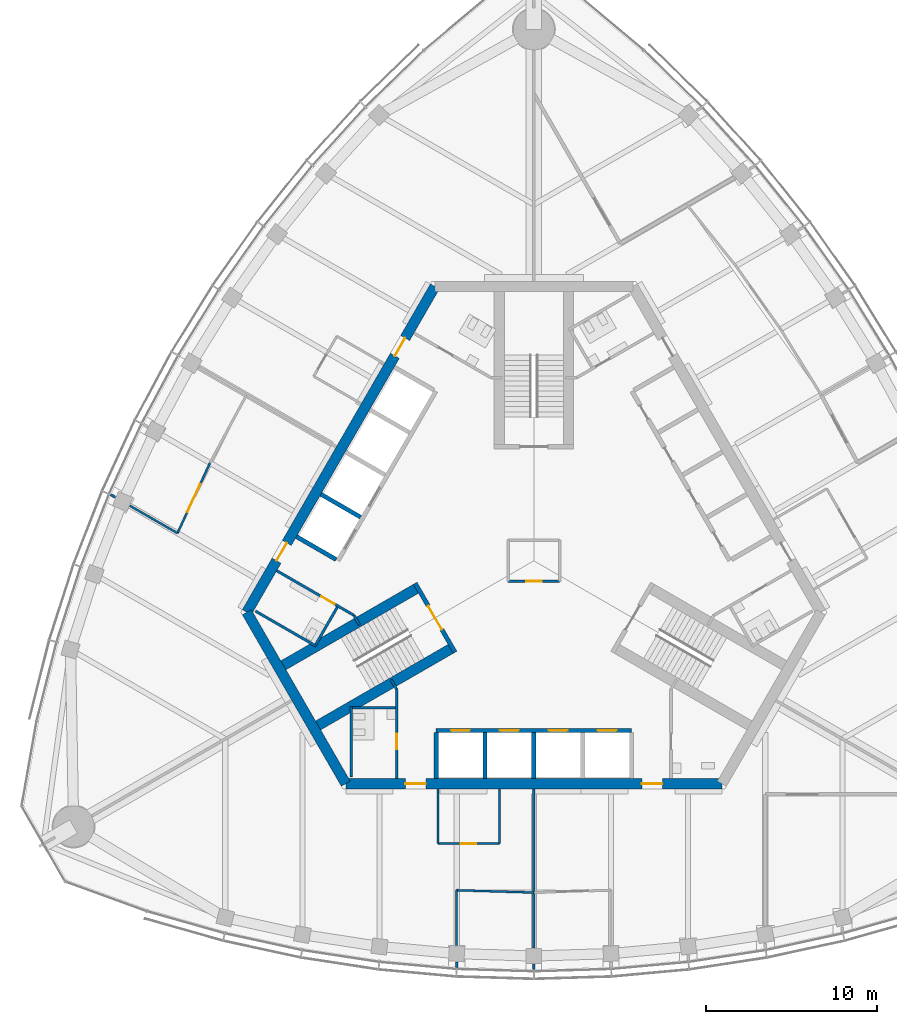
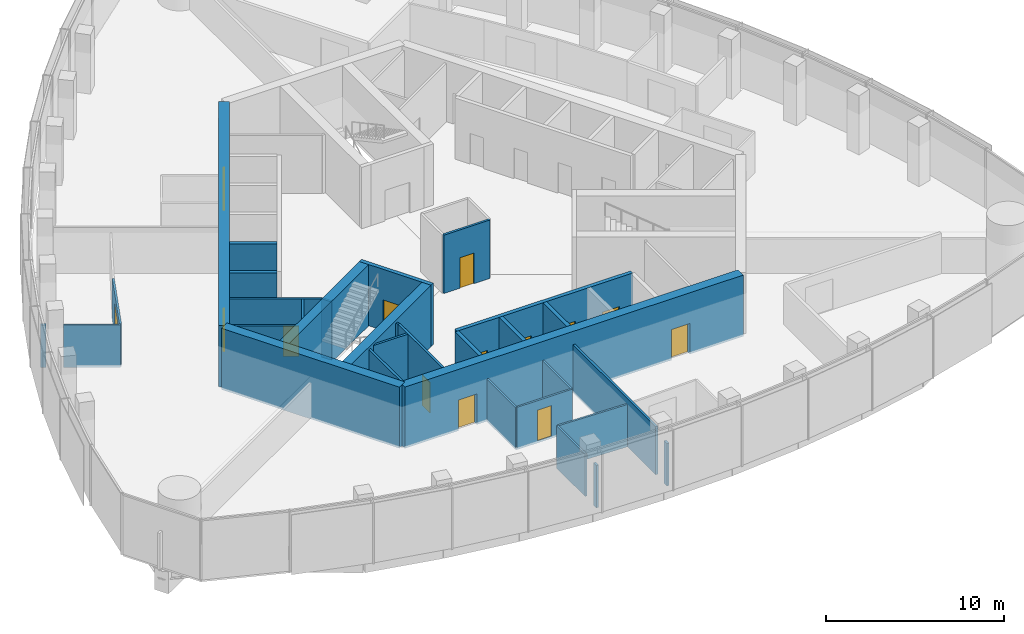
# One storey, part 8 of 16: 32 walls, 14 doors, 14 openings.
"""IFC4 building model written with IfcOpenShell, lengths in metres."""

import ifcopenshell
import ifcopenshell.guid

model = None  # the IFC model being written
_history = None  # IfcOwnerHistory: only IFC2X3 demands one
_inside = {}  # id of a spatial element -> (the spatial element, [elements in it])
_under = {}  # id of a project, library or spatial element -> (it, [spatial elements below it])
_declared = {}  # id of a project -> (the project, [libraries it declares])
_typed = {}  # id of a type object -> (the type object, [elements of that type])
_made_of = {}  # id of a material, layer set ... -> (it, [elements and type objects made of it])


def new_model(schema):
    """Start an empty IFC model of exactly this schema.

    Asked for "IFC4X3", IfcOpenShell would pick the latest addendum, in which some entities
    have other attributes; the version numbers below select the first issue.
    IFC2X3 requires an IfcOwnerHistory on every rooted entity: one is made here for all.
    """
    global model, _history
    if schema == "IFC4X3":
        model = ifcopenshell.file(schema_version=(4, 3, 0, 0))
    else:
        model = ifcopenshell.file(schema=schema)
    _inside.clear()
    _under.clear()
    _declared.clear()
    _typed.clear()
    _made_of.clear()
    _history = None
    if model.schema == "IFC2X3":
        org = make("IfcOrganization", Name="unknown")
        user = make(
            "IfcPersonAndOrganization",
            ThePerson=make("IfcPerson", FamilyName="unknown"),
            TheOrganization=org,
        )
        app = make(
            "IfcApplication",
            ApplicationDeveloper=org,
            Version="unknown",
            ApplicationFullName="unknown",
            ApplicationIdentifier="unknown",
        )
        _history = make(
            "IfcOwnerHistory",
            OwningUser=user,
            OwningApplication=app,
            ChangeAction="ADDED",
            CreationDate=0,
        )
    return model


def make(cls, **values):
    """One entity of the class cls with the attributes given. An attribute that is None is left unset."""
    return model.create_entity(
        cls, **{name: value for name, value in values.items() if value is not None}
    )


def rooted(cls, **values):
    """An entity with a GlobalId (a new one), such as an element, a storey or a relation."""
    return make(cls, GlobalId=ifcopenshell.guid.new(), OwnerHistory=_history, **values)


def si_unit(unit_type, name, prefix=None):
    """IfcSIUnit, for example si_unit("LENGTHUNIT", "METRE", prefix="MILLI")."""
    return make("IfcSIUnit", UnitType=unit_type, Prefix=prefix, Name=name)


def assignment(units):
    """IfcUnitAssignment: the units of a project."""
    return None if units is None else make("IfcUnitAssignment", Units=units)


def point(xyz):
    """IfcCartesianPoint."""
    return None if xyz is None else make("IfcCartesianPoint", Coordinates=xyz)


def direction(xyz):
    """IfcDirection."""
    return None if xyz is None else make("IfcDirection", DirectionRatios=xyz)


def frame(location, z_axis=None, x_axis=None):
    """IfcAxis2Placement3D, a coordinate frame: its origin and axes. An axis left out is left unset."""
    return make(
        "IfcAxis2Placement3D",
        Location=point(location),
        Axis=direction(z_axis),
        RefDirection=direction(x_axis),
    )


def frame_2d(location, x_axis=None):
    """IfcAxis2Placement2D, a coordinate frame in the plane: its origin and x axis."""
    return make(
        "IfcAxis2Placement2D", Location=point(location), RefDirection=direction(x_axis)
    )


def origin():
    """The frame at (0, 0, 0) with its axes left unset."""
    return frame((0.0, 0.0, 0.0))


def place(relative_to, where):
    """IfcLocalPlacement: puts the frame where relative to a parent placement (None: the world)."""
    return make(
        "IfcLocalPlacement", PlacementRelTo=relative_to, RelativePlacement=where
    )


def context(
    kind, dimensions, precision=None, world=None, true_north=None, identifier=None
):
    """IfcGeometricRepresentationContext, for example the 3D "Model" context."""
    return make(
        "IfcGeometricRepresentationContext",
        ContextIdentifier=identifier,
        ContextType=kind,
        CoordinateSpaceDimension=dimensions,
        Precision=precision,
        WorldCoordinateSystem=world,
        TrueNorth=true_north,
    )


def subcontext(parent, identifier, kind, view, scale=None):
    """IfcGeometricRepresentationSubContext, for example "Body" below "Model"."""
    return make(
        "IfcGeometricRepresentationSubContext",
        ContextIdentifier=identifier,
        ContextType=kind,
        ParentContext=parent,
        TargetScale=scale,
        TargetView=view,
    )


def project(units=None, contexts=None):
    """IfcProject with its units and contexts."""
    return rooted(
        "IfcProject",
        Name="project",
        RepresentationContexts=contexts,
        UnitsInContext=assignment(units),
    )


def spatial(cls, under=None, at=None, **own):
    """A site, building, storey or space (cls), placed at a placement, below another one or the project."""
    s = rooted(cls, ObjectPlacement=at, **own)
    if under is not None:
        _under.setdefault(under.id(), (under, []))[1].append(s)
    return s


def profile(cls, at=None, kind="AREA", **sizes):
    """A parametric profile (cls). Its sizes go by their IFC names, for example OverallWidth=200.0."""
    return make(cls, ProfileType=kind, Position=at, **sizes)


def rectangle(**sizes):
    """IfcRectangleProfileDef."""
    return profile("IfcRectangleProfileDef", **sizes)


def extrude(swept, where, along, depth):
    """IfcExtrudedAreaSolid: the profile swept, set in the frame where, extruded along a direction by depth."""
    return make(
        "IfcExtrudedAreaSolid",
        SweptArea=swept,
        Position=where,
        ExtrudedDirection=direction(along),
        Depth=depth,
    )


def shape(context_of_items, identifier, shape_type, items):
    """IfcShapeRepresentation: the items that make up one representation, for example the "Body"."""
    return make(
        "IfcShapeRepresentation",
        ContextOfItems=context_of_items,
        RepresentationIdentifier=identifier,
        RepresentationType=shape_type,
        Items=items,
    )


def material(Name=None, Category=None):
    """IfcMaterial."""
    return make("IfcMaterial", Name=Name, Category=Category)


def layer(
    of_material, thickness, ventilated=None, Name=None, Category=None, Priority=None
):
    """IfcMaterialLayer: one layer of a wall or slab, of a material (None: an air gap)."""
    return make(
        "IfcMaterialLayer",
        Material=of_material,
        LayerThickness=thickness,
        IsVentilated=ventilated,
        Name=Name,
        Category=Category,
        Priority=Priority,
    )


def layer_set(layers, Name=None):
    """IfcMaterialLayerSet."""
    return make("IfcMaterialLayerSet", MaterialLayers=layers, LayerSetName=Name)


def made_of(thing, what):
    """Note that an element or type object is made of a material, layer set ...; save() writes the relation."""
    if what is not None:
        _made_of.setdefault(what.id(), (what, []))[1].append(thing)
    return thing


def type_object(cls, material=None, **own):
    """A type object (cls), such as IfcWallType, which elements share."""
    return made_of(rooted(cls, **own), material)


def element(
    cls,
    number,
    at=None,
    inside=None,
    cuts=None,
    type_object=None,
    material=None,
    context=None,
    identifier="Body",
    shape_type=None,
    held_by="IfcProductDefinitionShape",
    body=None,
    shapes=None,
    **own,
):
    """One element of the class cls, such as IfcWall. Its Tag is "e" and its number.

    at: its placement. inside: the storey or other place that contains it. cuts: it is an
    opening in that element (IfcRelVoidsElement). A single representation is given by context,
    identifier, shape_type and body (its items); several are given by shapes. held_by: the class
    of the entity that holds the representations. save() writes the other relations.
    """
    e = rooted(cls, Tag="e%d" % number, ObjectPlacement=at, **own)
    if body is not None:
        shapes = [shape(context, identifier, shape_type, body)]
    if shapes is not None:
        e.Representation = make(held_by, Representations=shapes)
    if inside is not None:
        _inside.setdefault(inside.id(), (inside, []))[1].append(e)
    if cuts is not None:
        rooted(
            "IfcRelVoidsElement", RelatingBuildingElement=cuts, RelatedOpeningElement=e
        )
    if type_object is not None:
        _typed.setdefault(type_object.id(), (type_object, []))[1].append(e)
    return made_of(e, material)


def fill(opening, filler):
    """IfcRelFillsElement: the door or window that sits in an opening."""
    return rooted(
        "IfcRelFillsElement",
        RelatingOpeningElement=opening,
        RelatedBuildingElement=filler,
    )


def aggregate(whole, parts):
    """IfcRelAggregates: a whole, such as a stair, and the parts it consists of."""
    return rooted("IfcRelAggregates", RelatingObject=whole, RelatedObjects=parts)


def save(model, path):
    """Write the relations noted so far, then the file.

    IfcRelAggregates (storeys below a building ...), IfcRelContainedInSpatialStructure (elements
    in a storey), IfcRelDefinesByType, IfcRelAssociatesMaterial and IfcRelDeclares: one each for
    every whole, place, type object, material and project.
    """
    for whole, parts in _under.values():
        aggregate(whole, parts)
    for where, things in _inside.values():
        rooted(
            "IfcRelContainedInSpatialStructure",
            RelatedElements=things,
            RelatingStructure=where,
        )
    for kind, things in _typed.values():
        rooted("IfcRelDefinesByType", RelatedObjects=things, RelatingType=kind)
    for what, things in _made_of.values():
        rooted("IfcRelAssociatesMaterial", RelatedObjects=things, RelatingMaterial=what)
    for by, libraries in _declared.values():
        rooted("IfcRelDeclares", RelatingContext=by, RelatedDefinitions=libraries)
    model.write(path)


model = new_model("IFC4")

# Units and contexts
model_context = context("Model", 3, precision=1e-05, world=origin(), true_north=direction((0.0, 1.0)))
body_context = subcontext(model_context, "Body", "Model", "MODEL_VIEW")
ifc_project = project(units=[si_unit("LENGTHUNIT", "METRE"), si_unit("AREAUNIT", "SQUARE_METRE"), si_unit("VOLUMEUNIT", "CUBIC_METRE"), si_unit("PLANEANGLEUNIT", "RADIAN"), si_unit("MASSUNIT", "GRAM", prefix="KILO")], contexts=[model_context])

# Site, building, storey
site_placement = place(None, origin())
site = spatial("IfcSite", under=ifc_project, at=site_placement, CompositionType="ELEMENT")
building_placement = place(site_placement, origin())
building = spatial("IfcBuilding", under=site, at=building_placement, Name="Trefoil Bronze Tower", CompositionType="ELEMENT")
storey_placement = place(building_placement, frame((0.0, 0.0, 314.10009765625)))
storey = spatial("IfcBuildingStorey", under=building, at=storey_placement, Name="L72", CompositionType="ELEMENT", Elevation=314.10009765625)

# Wall, openings, doors
ifc_material_1 = material(Name="Concrete B80", Category="concrete")
ifc_layer_1 = layer(ifc_material_1, 0.60009765625)
ifc_layer_set_1 = layer_set([ifc_layer_1], Name="Core wall 600")
wall_type_1 = type_object("IfcWallType", Name="Core wall 600", PredefinedType="SHEAR", material=ifc_layer_set_1)
wall_1_placement = place(storey_placement, frame((-10.9697265625, -13.0, 0.0), z_axis=(0.0, 0.0, 1.0), x_axis=(1.0, 0.0, 0.0)))
wall_1 = element("IfcWall", 1, at=wall_1_placement, inside=storey, type_object=wall_type_1, Name="Core long wall 1 L72", PredefinedType="SHEAR", context=body_context, shape_type="SweptSolid", body=[
    extrude(rectangle(XDim=21.939453125, YDim=0.60009765625, at=frame_2d((10.9697265625, 0.0))), origin(), (0.0, 0.0, 1.0), 4.199951171875),
])
opening_1_placement = place(wall_1_placement, frame((17.269775390625, 0.0, 0.0)))
opening_1 = element("IfcOpeningElement", 2, at=opening_1_placement, cuts=wall_1, Name="Opening D2", PredefinedType="OPENING", context=body_context, shape_type="SweptSolid", body=[
    extrude(rectangle(XDim=1.199951171875, YDim=2.10009765625, at=frame_2d((0.60009765625, 1.050048828125))), frame((0.0, 0.31005859375, 0.0), z_axis=(0.0, -1.0, 0.0), x_axis=(1.0, 0.0, 0.0)), (0.0, 0.0, 1.0), 0.6201171875),
])
opening_2_placement = place(wall_1_placement, frame((3.4697265625, 0.0, 0.0)))
opening_2 = element("IfcOpeningElement", 3, at=opening_2_placement, cuts=wall_1, Name="Opening D2", PredefinedType="OPENING", context=body_context, shape_type="SweptSolid", body=[
    extrude(rectangle(XDim=1.199951171875, YDim=2.10009765625, at=frame_2d((0.60009765625, 1.050048828125))), frame((0.0, 0.31005859375, 0.0), z_axis=(0.0, -1.0, 0.0), x_axis=(1.0, 0.0, 0.0)), (0.0, 0.0, 1.0), 0.6201171875),
])
ifc_material_2 = material(Name="Steel door", Category="steel")
door_type_1 = type_object("IfcDoorType", Name="Lobby door 1200", OperationType="SINGLE_SWING_RIGHT", PredefinedType="DOOR", material=ifc_material_2)
door_1_placement = place(opening_1_placement, origin())
door_1 = element("IfcDoor", 4, at=door_1_placement, inside=storey, type_object=door_type_1, Name="Lobby door F1+ L72", OperationType="SINGLE_SWING_RIGHT", OverallHeight=2.10009765625, OverallWidth=1.199951171875, PredefinedType="DOOR", context=body_context, shape_type="SweptSolid", body=[
    extrude(rectangle(XDim=1.199951171875, YDim=2.10009765625, at=frame_2d((0.60009765625, 1.050048828125))), frame((0.0, 0.02490234375, 0.0), z_axis=(0.0, -1.0, 0.0), x_axis=(1.0, 0.0, 0.0)), (0.0, 0.0, 1.0), 0.050048828125),
])
fill(opening_1, door_1)
door_2_placement = place(opening_2_placement, origin())
door_2 = element("IfcDoor", 5, at=door_2_placement, inside=storey, type_object=door_type_1, Name="Lobby door F1- L72", OperationType="SINGLE_SWING_LEFT", OverallHeight=2.10009765625, OverallWidth=1.199951171875, PredefinedType="DOOR", context=body_context, shape_type="SweptSolid", body=[
    extrude(rectangle(XDim=1.199951171875, YDim=2.10009765625, at=frame_2d((0.60009765625, 1.050048828125))), frame((0.0, 0.02490234375, 0.0), z_axis=(0.0, -1.0, 0.0), x_axis=(1.0, 0.0, 0.0)), (0.0, 0.0, 1.0), 0.050048828125),
])
fill(opening_2, door_2)

wall_2_placement = place(storey_placement, frame((-5.7734375, 16.0, 0.0), z_axis=(0.0, 0.0, 1.0), x_axis=(-0.500002442456, -0.866023993627, 0.0)))
wall_2 = element("IfcWall", 6, at=wall_2_placement, inside=storey, type_object=wall_type_1, Name="Core long wall 3 L72", PredefinedType="SHEAR", context=body_context, shape_type="SweptSolid", body=[
    extrude(rectangle(XDim=21.939453125, YDim=0.60009765625, at=frame_2d((10.9697265625, 0.0))), origin(), (0.0, 0.0, 1.0), 4.199951171875),
])
opening_3_placement = place(wall_2_placement, frame((17.269775390625, 0.0, 0.0)))
opening_3 = element("IfcOpeningElement", 7, at=opening_3_placement, cuts=wall_2, Name="Opening D2", PredefinedType="OPENING", context=body_context, shape_type="SweptSolid", body=[
    extrude(rectangle(XDim=1.199951171875, YDim=2.10009765625, at=frame_2d((0.60009765625, 1.050048828125))), frame((0.0, 0.31005859375, 0.0), z_axis=(0.0, -1.0, 0.0), x_axis=(1.0, 0.0, 0.0)), (0.0, 0.0, 1.0), 0.6201171875),
])
opening_4_placement = place(wall_2_placement, frame((3.4697265625, 0.0, 0.0)))
opening_4 = element("IfcOpeningElement", 8, at=opening_4_placement, cuts=wall_2, Name="Opening D2", PredefinedType="OPENING", context=body_context, shape_type="SweptSolid", body=[
    extrude(rectangle(XDim=1.199951171875, YDim=2.10009765625, at=frame_2d((0.60009765625, 1.050048828125))), frame((0.0, 0.31005859375, 0.0), z_axis=(0.0, -1.0, 0.0), x_axis=(1.0, 0.0, 0.0)), (0.0, 0.0, 1.0), 0.6201171875),
])
door_3_placement = place(opening_3_placement, origin())
door_3 = element("IfcDoor", 9, at=door_3_placement, inside=storey, type_object=door_type_1, Name="Lobby door F3+ L72", OperationType="SINGLE_SWING_RIGHT", OverallHeight=2.10009765625, OverallWidth=1.199951171875, PredefinedType="DOOR", context=body_context, shape_type="SweptSolid", body=[
    extrude(rectangle(XDim=1.199951171875, YDim=2.10009765625, at=frame_2d((0.60009765625, 1.050048828125))), frame((0.0, 0.02490234375, 0.0), z_axis=(0.0, -1.0, 0.0), x_axis=(1.0, 0.0, 0.0)), (0.0, 0.0, 1.0), 0.050048828125),
])
fill(opening_3, door_3)
door_4_placement = place(opening_4_placement, origin())
door_4 = element("IfcDoor", 10, at=door_4_placement, inside=storey, type_object=door_type_1, Name="Lobby door F3- L72", OperationType="SINGLE_SWING_LEFT", OverallHeight=2.10009765625, OverallWidth=1.199951171875, PredefinedType="DOOR", context=body_context, shape_type="SweptSolid", body=[
    extrude(rectangle(XDim=1.199951171875, YDim=2.10009765625, at=frame_2d((0.60009765625, 1.050048828125))), frame((0.0, 0.02490234375, 0.0), z_axis=(0.0, -1.0, 0.0), x_axis=(1.0, 0.0, 0.0)), (0.0, 0.0, 1.0), 0.050048828125),
])
fill(opening_4, door_4)

# Wall
wall_3_placement = place(storey_placement, frame((-16.7431640625, -3.0, 0.0), z_axis=(0.0, 0.0, 1.0), x_axis=(0.499995765644, -0.866027848477, 0.0)))
element("IfcWall", 11, at=wall_3_placement, inside=storey, type_object=wall_type_1, Name="Core short wall 3 L72", PredefinedType="SHEAR", context=body_context, shape_type="SweptSolid", body=[
    extrude(rectangle(XDim=11.546875, YDim=0.60009765625, at=frame_2d((5.7734375, 0.0))), origin(), (0.0, 0.0, 1.0), 4.199951171875),
])

# Wall, opening, door
ifc_material_3 = material(Name="Glazed partition", Category="glass")
ifc_layer_2 = layer(ifc_material_3, 0.1201171875)
ifc_layer_set_2 = layer_set([ifc_layer_2], Name="Glazed partition 120")
wall_type_2 = type_object("IfcWallType", Name="Glazed partition 120", PredefinedType="PARTITIONING", material=ifc_layer_set_2)
wall_4_placement = place(storey_placement, frame((-5.60009765625, -16.5, 0.0), z_axis=(0.0, 0.0, 1.0), x_axis=(1.0, 0.0, 0.0)))
wall_4 = element("IfcWall", 12, at=wall_4_placement, inside=storey, type_object=wall_type_2, Name="Partition F1 L72", PredefinedType="PARTITIONING", context=body_context, shape_type="SweptSolid", body=[
    extrude(rectangle(XDim=3.60009765625, YDim=0.1201171875, at=frame_2d((1.800048828125, 0.0))), origin(), (0.0, 0.0, 1.0), 2.89990234375),
])
opening_5_placement = place(wall_4_placement, frame((1.35009765625, 0.0, 0.14990234375)))
opening_5 = element("IfcOpeningElement", 13, at=opening_5_placement, cuts=wall_4, Name="Opening D8", PredefinedType="OPENING", context=body_context, shape_type="SweptSolid", body=[
    extrude(rectangle(XDim=0.89990234375, YDim=2.10009765625, at=frame_2d((0.449951171875, 1.050048828125))), frame((0.0, 0.070068359375, 0.0), z_axis=(0.0, -1.0, 0.0), x_axis=(1.0, 0.0, 0.0)), (0.0, 0.0, 1.0), 0.14013671875),
])
ifc_material_4 = material(Name="Timber door", Category="wood")
door_type_2 = type_object("IfcDoorType", Name="Office door 900", OperationType="SINGLE_SWING_LEFT", PredefinedType="DOOR", material=ifc_material_4)
door_5_placement = place(opening_5_placement, origin())
door_5 = element("IfcDoor", 14, at=door_5_placement, inside=storey, type_object=door_type_2, Name="Cloakroom door F1 L72", OperationType="SINGLE_SWING_RIGHT", OverallHeight=2.10009765625, OverallWidth=0.89990234375, PredefinedType="DOOR", context=body_context, shape_type="SweptSolid", body=[
    extrude(rectangle(XDim=0.89990234375, YDim=2.10009765625, at=frame_2d((0.449951171875, 1.050048828125))), frame((0.0, 0.02490234375, 0.0), z_axis=(0.0, -1.0, 0.0), x_axis=(1.0, 0.0, 0.0)), (0.0, 0.0, 1.0), 0.050048828125),
])
fill(opening_5, door_5)

# Walls
for number, where, z_axis, x_axis, name in (
    (15, (-2.0, -13.300048828125, 0.0), (0.0, 0.0, 1.0), (0.0, -1.0, 0.0), "Partition F1 L72"),
    (16, (-5.60009765625, -13.300048828125, 0.0), (0.0, 0.0, 1.0), (0.0, -1.0, 0.0), "Partition F1 L72"),
):
    element("IfcWall", number, at=place(storey_placement, frame(where, z_axis=z_axis, x_axis=x_axis)), inside=storey, type_object=wall_type_2, Name=name, PredefinedType="PARTITIONING", context=body_context, shape_type="SweptSolid", body=[
        extrude(rectangle(XDim=3.199951171875, YDim=0.1201171875, at=frame_2d((1.60009765625, 0.0))), origin(), (0.0, 0.0, 1.0), 2.89990234375),
    ])
wall_5_placement = place(storey_placement, frame((-4.5, -19.21533203125, 0.0), z_axis=(0.0, 0.0, 1.0), x_axis=(0.999542074227, -0.030259574513, 0.0)))
element("IfcWall", 17, at=wall_5_placement, inside=storey, type_object=wall_type_2, Name="Partition F1 L72", PredefinedType="PARTITIONING", context=body_context, shape_type="SweptSolid", body=[
    extrude(rectangle(XDim=4.501953125, YDim=0.1201171875, at=frame_2d((2.2509765625, 0.0))), origin(), (0.0, 0.0, 1.0), 2.89990234375),
])
wall_6_placement = place(storey_placement, frame((-4.5, -19.21533203125, 0.0), z_axis=(0.0, 0.0, 1.0), x_axis=(0.0, -1.0, 0.0)))
element("IfcWall", 18, at=wall_6_placement, inside=storey, type_object=wall_type_2, Name="Partition F1 L72", PredefinedType="PARTITIONING", context=body_context, shape_type="SweptSolid", body=[
    extrude(rectangle(XDim=3.2177734375, YDim=0.1201171875, at=frame_2d((1.60888671875, 0.0))), origin(), (0.0, 0.0, 1.0), 2.89990234375),
])

# Wall, opening, door
wall_7_placement = place(storey_placement, frame((-18.890869140625, 5.71044921875, 0.0), z_axis=(0.0, 0.0, 1.0), x_axis=(-0.419335693458, -0.907831248742, 0.0)))
wall_7 = element("IfcWall", 19, at=wall_7_placement, inside=storey, type_object=wall_type_2, Name="Partition F3 L72", PredefinedType="PARTITIONING", context=body_context, shape_type="SweptSolid", body=[
    extrude(rectangle(XDim=4.5185546875, YDim=0.1201171875, at=frame_2d((2.25927734375, 0.0))), origin(), (0.0, 0.0, 1.0), 2.89990234375),
])
opening_6_placement = place(wall_7_placement, frame((1.35009765625, 0.0, 0.14990234375)))
opening_6 = element("IfcOpeningElement", 20, at=opening_6_placement, cuts=wall_7, Name="Opening D10", PredefinedType="OPENING", context=body_context, shape_type="SweptSolid", body=[
    extrude(rectangle(XDim=1.800048828125, YDim=2.10009765625, at=frame_2d((0.89990234375, 1.050048828125))), frame((0.0, 0.070068359375, 0.0), z_axis=(0.0, -1.0, 0.0), x_axis=(1.0, 0.0, 0.0)), (0.0, 0.0, 1.0), 0.14013671875),
])
ifc_material_5 = material(Name="Timber door", Category="wood")
door_type_3 = type_object("IfcDoorType", Name="Double door 1800", OperationType="DOUBLE_DOOR_SINGLE_SWING", PredefinedType="DOOR", material=ifc_material_5)
door_6_placement = place(opening_6_placement, frame((1.800048828125, 0.0, 0.0), z_axis=(0.0, 0.0, 1.0), x_axis=(-1.0, 0.0, 0.0)))
door_6 = element("IfcDoor", 21, at=door_6_placement, inside=storey, type_object=door_type_3, Name="Bar door F3 L72", OperationType="DOUBLE_DOOR_SINGLE_SWING", OverallHeight=2.10009765625, OverallWidth=1.800048828125, PredefinedType="DOOR", context=body_context, shape_type="SweptSolid", body=[
    extrude(rectangle(XDim=1.800048828125, YDim=2.10009765625, at=frame_2d((0.89990234375, 1.050048828125))), frame((0.0, 0.02490234375, 0.0), z_axis=(0.0, -1.0, 0.0), x_axis=(1.0, 0.0, 0.0)), (0.0, 0.0, 1.0), 0.050048828125),
])
fill(opening_6, door_6)

# Wall
wall_8_placement = place(storey_placement, frame((-20.78564453125, 1.6083984375, 0.0), z_axis=(0.0, 0.0, 1.0), x_axis=(-0.866039964284, 0.499974779627, 0.0)))
element("IfcWall", 22, at=wall_8_placement, inside=storey, type_object=wall_type_2, Name="Partition F3 L72", PredefinedType="PARTITIONING", context=body_context, shape_type="SweptSolid", body=[
    extrude(rectangle(XDim=3.210693359375, YDim=0.1201171875, at=frame_2d((1.60546875, 0.0))), origin(), (0.0, 0.0, 1.0), 2.89990234375),
])

# Wall, opening, door
ifc_material_6 = material(Name="Gypsum board on steel studs", Category="steel")
ifc_layer_3 = layer(ifc_material_6, 0.14990234375)
ifc_layer_set_3 = layer_set([ifc_layer_3], Name="Partition 150")
wall_type_3 = type_object("IfcWallType", Name="Partition 150", PredefinedType="PARTITIONING", material=ifc_layer_set_3)
wall_9_placement = place(storey_placement, frame((-8.0, -7.5, 0.0), z_axis=(0.0, 0.0, 1.0), x_axis=(0.0, -1.0, 0.0)))
wall_9 = element("IfcWall", 23, at=wall_9_placement, inside=storey, type_object=wall_type_3, Name="Passage wall F1- L72", PredefinedType="PARTITIONING", context=body_context, shape_type="SweptSolid", body=[
    extrude(rectangle(XDim=5.199951171875, YDim=0.14990234375, at=frame_2d((2.60009765625, 0.0))), origin(), (0.0, 0.0, 1.0), 4.0),
])
opening_7_placement = place(wall_9_placement, frame((2.60009765625, 0.0, 0.0)))
opening_7 = element("IfcOpeningElement", 24, at=opening_7_placement, cuts=wall_9, Name="Opening D3", PredefinedType="OPENING", context=body_context, shape_type="SweptSolid", body=[
    extrude(rectangle(XDim=0.89990234375, YDim=2.10009765625, at=frame_2d((0.449951171875, 1.050048828125))), frame((0.0, 0.0849609375, 0.0), z_axis=(0.0, -1.0, 0.0), x_axis=(1.0, 0.0, 0.0)), (0.0, 0.0, 1.0), 0.169921875),
])
ifc_material_7 = material(Name="Timber door", Category="wood")
door_type_4 = type_object("IfcDoorType", Name="WC door 900", OperationType="SINGLE_SWING_LEFT", PredefinedType="DOOR", material=ifc_material_7)
door_7_placement = place(opening_7_placement, frame((0.89990234375, 0.0, 0.0), z_axis=(0.0, 0.0, 1.0), x_axis=(-1.0, 0.0, 0.0)))
door_7 = element("IfcDoor", 25, at=door_7_placement, inside=storey, type_object=door_type_4, Name="WC (women) door L72", OperationType="SINGLE_SWING_RIGHT", OverallHeight=2.10009765625, OverallWidth=0.89990234375, PredefinedType="DOOR", context=body_context, shape_type="SweptSolid", body=[
    extrude(rectangle(XDim=0.89990234375, YDim=2.10009765625, at=frame_2d((0.449951171875, 1.050048828125))), frame((0.0, 0.02490234375, 0.0), z_axis=(0.0, -1.0, 0.0), x_axis=(1.0, 0.0, 0.0)), (0.0, 0.0, 1.0), 0.050048828125),
])
fill(opening_7, door_7)

wall_10_placement = place(storey_placement, frame((-10.4951171875, -3.17822265625, 0.0), z_axis=(0.0, 0.0, 1.0), x_axis=(-0.866021400173, 0.500006934395, 0.0)))
wall_10 = element("IfcWall", 26, at=wall_10_placement, inside=storey, type_object=wall_type_3, Name="Passage wall F3+ L72", PredefinedType="PARTITIONING", context=body_context, shape_type="SweptSolid", body=[
    extrude(rectangle(XDim=5.2001953125, YDim=0.14990234375, at=frame_2d((2.60009765625, 0.0))), origin(), (0.0, 0.0, 1.0), 4.0),
])
opening_8_placement = place(wall_10_placement, frame((1.300048828125, 0.0, 0.0)))
opening_8 = element("IfcOpeningElement", 27, at=opening_8_placement, cuts=wall_10, Name="Opening D3", PredefinedType="OPENING", context=body_context, shape_type="SweptSolid", body=[
    extrude(rectangle(XDim=0.89990234375, YDim=2.10009765625, at=frame_2d((0.449951171875, 1.050048828125))), frame((0.0, 0.0849609375, 0.0), z_axis=(0.0, -1.0, 0.0), x_axis=(1.0, 0.0, 0.0)), (0.0, 0.0, 1.0), 0.169921875),
])
door_8_placement = place(opening_8_placement, origin())
door_8 = element("IfcDoor", 28, at=door_8_placement, inside=storey, type_object=door_type_4, Name="WC (men) door L72", OperationType="SINGLE_SWING_LEFT", OverallHeight=2.10009765625, OverallWidth=0.89990234375, PredefinedType="DOOR", context=body_context, shape_type="SweptSolid", body=[
    extrude(rectangle(XDim=0.89990234375, YDim=2.10009765625, at=frame_2d((0.449951171875, 1.050048828125))), frame((0.0, 0.02490234375, 0.0), z_axis=(0.0, -1.0, 0.0), x_axis=(1.0, 0.0, 0.0)), (0.0, 0.0, 1.0), 0.050048828125),
])
fill(opening_8, door_8)

# Walls
for number, where, z_axis, x_axis, name in (
    (29, (-10.4951171875, -3.17822265625, 0.0), (0.0, 0.0, 1.0), (0.499842556608, -0.866116284689, 0.0), "WC wall ST3-1 L72"),
    (30, (-8.0, -7.5, 0.0), (0.0, 0.0, 1.0), (-0.499842556608, 0.866116284689, 0.0), "WC wall ST3+1 L72"),
):
    element("IfcWall", number, at=place(storey_placement, frame(where, z_axis=z_axis, x_axis=x_axis)), inside=storey, type_object=wall_type_3, Name=name, PredefinedType="PARTITIONING", context=body_context, shape_type="SweptSolid", body=[
        extrude(rectangle(XDim=0.645263671875, YDim=0.14990234375, at=frame_2d((0.32275390625, 0.0))), origin(), (0.0, 0.0, 1.0), 4.0),
    ])
wall_11_placement = place(storey_placement, frame((-12.691162109375, -4.98193359375, 0.0), z_axis=(0.0, 0.0, 1.0), x_axis=(-0.8660249478, 0.500000789788, 0.0)))
element("IfcWall", 31, at=wall_11_placement, inside=storey, type_object=wall_type_3, Name="WC partition WC (men) L72", PredefinedType="PARTITIONING", context=body_context, shape_type="SweptSolid", body=[
    extrude(rectangle(XDim=4.10009765625, YDim=0.14990234375, at=frame_2d((2.050048828125, 0.0))), origin(), (0.0, 0.0, 1.0), 4.0),
])
wall_12_placement = place(storey_placement, frame((-11.463623046875, -2.70556640625, 0.0), z_axis=(0.0, 0.0, 1.0), x_axis=(-0.50001992892, -0.866013897511, 0.0)))
element("IfcWall", 32, at=wall_12_placement, inside=storey, type_object=wall_type_3, Name="WC partition WC (men) L72", PredefinedType="PARTITIONING", context=body_context, shape_type="SweptSolid", body=[
    extrude(rectangle(XDim=2.51025390625, YDim=0.14990234375, at=frame_2d((1.255126953125, 0.0))), origin(), (0.0, 0.0, 1.0), 4.0),
])
wall_13_placement = place(storey_placement, frame((-10.659912109375, -8.5, 0.0), z_axis=(0.0, 0.0, 1.0), x_axis=(0.0, -1.0, 0.0)))
element("IfcWall", 33, at=wall_13_placement, inside=storey, type_object=wall_type_3, Name="WC partition WC (women) L72", PredefinedType="PARTITIONING", context=body_context, shape_type="SweptSolid", body=[
    extrude(rectangle(XDim=4.10009765625, YDim=0.14990234375, at=frame_2d((2.050048828125, 0.0))), origin(), (0.0, 0.0, 1.0), 4.0),
])
wall_14_placement = place(storey_placement, frame((-8.074951171875, -8.574951171875, 0.0), z_axis=(0.0, 0.0, 1.0), x_axis=(-1.0, 0.0, 0.0)))
element("IfcWall", 34, at=wall_14_placement, inside=storey, type_object=wall_type_3, Name="WC partition WC (women) L72", PredefinedType="PARTITIONING", context=body_context, shape_type="SweptSolid", body=[
    extrude(rectangle(XDim=2.510009765625, YDim=0.14990234375, at=frame_2d((1.2548828125, 0.0))), origin(), (0.0, 0.0, 1.0), 4.0),
])
wall_15_placement = place(storey_placement, frame((0.0, -23.505615234375, 0.0), z_axis=(0.0, 0.0, 1.0), x_axis=(0.0, -1.0, 0.0)))
element("IfcWall", 35, at=wall_15_placement, inside=storey, type_object=wall_type_3, Name="Partition F1 L72", PredefinedType="PARTITIONING", context=body_context, shape_type="SweptSolid", body=[
    extrude(rectangle(XDim=0.341064453125, YDim=0.14990234375, at=frame_2d((0.17041015625, 0.0))), origin(), (0.0, 0.0, 1.0), 2.89990234375),
])
wall_16_placement = place(storey_placement, frame((-4.5, -23.394287109375, 0.0), z_axis=(0.0, 0.0, 1.0), x_axis=(0.0, -1.0, 0.0)))
element("IfcWall", 36, at=wall_16_placement, inside=storey, type_object=wall_type_3, Name="Partition F1 L72", PredefinedType="PARTITIONING", context=body_context, shape_type="SweptSolid", body=[
    extrude(rectangle(XDim=0.316162109375, YDim=0.14990234375, at=frame_2d((0.158203125, 0.0))), origin(), (0.0, 0.0, 1.0), 2.89990234375),
])
wall_17_placement = place(storey_placement, frame((-24.42236328125, 3.7080078125, 0.0), z_axis=(0.0, 0.0, 1.0), x_axis=(-0.866254317358, 0.499603300288, 0.0)))
element("IfcWall", 37, at=wall_17_placement, inside=storey, type_object=wall_type_3, Name="Partition F3 L72", PredefinedType="PARTITIONING", context=body_context, shape_type="SweptSolid", body=[
    extrude(rectangle(XDim=0.295654296875, YDim=0.14990234375, at=frame_2d((0.14794921875, 0.0))), origin(), (0.0, 0.0, 1.0), 2.89990234375),
])
ifc_material_8 = material(Name="Gypsum board on steel studs", Category="steel")
ifc_layer_4 = layer(ifc_material_8, 0.14990234375)
ifc_layer_set_4 = layer_set([ifc_layer_4], Name="Party wall 150")
wall_type_4 = type_object("IfcWallType", Name="Party wall 150", PredefinedType="PARTITIONING", material=ifc_layer_set_4)
wall_18_placement = place(storey_placement, frame((0.0, -13.31005859375, 0.0), z_axis=(0.0, 0.0, 1.0), x_axis=(0.0, -1.0, 0.0)))
element("IfcWall", 38, at=wall_18_placement, inside=storey, type_object=wall_type_4, Name="Demising wall F1 L72", PredefinedType="PARTITIONING", context=body_context, shape_type="SweptSolid", body=[
    extrude(rectangle(XDim=9.261474609375, YDim=0.14990234375, at=frame_2d((4.630859375, 0.0))), origin(), (0.0, 0.0, 1.0), 3.2998046875),
])

# Wall, opening, door
ifc_material_9 = material(Name="Gypsum board on steel studs", Category="steel")
ifc_layer_5 = layer(ifc_material_9, 0.14990234375)
ifc_layer_set_5 = layer_set([ifc_layer_5], Name="Riser wall 150")
wall_type_5 = type_object("IfcWallType", Name="Riser wall 150", PredefinedType="PARTITIONING", material=ifc_layer_set_5)
wall_19_placement = place(storey_placement, frame((-1.5, -1.199951171875, 0.0), z_axis=(0.0, 0.0, 1.0), x_axis=(1.0, 0.0, 0.0)))
wall_19 = element("IfcWall", 39, at=wall_19_placement, inside=storey, type_object=wall_type_5, Name="Riser wall L72", PredefinedType="PARTITIONING", context=body_context, shape_type="SweptSolid", body=[
    extrude(rectangle(XDim=3.0, YDim=0.14990234375, at=frame_2d((1.5, 0.0))), origin(), (0.0, 0.0, 1.0), 4.0),
])
opening_9_placement = place(wall_19_placement, frame((1.050048828125, 0.0, 0.0)))
opening_9 = element("IfcOpeningElement", 40, at=opening_9_placement, cuts=wall_19, Name="Opening D4", PredefinedType="OPENING", context=body_context, shape_type="SweptSolid", body=[
    extrude(rectangle(XDim=0.89990234375, YDim=2.10009765625, at=frame_2d((0.449951171875, 1.050048828125))), frame((0.0, 0.0849609375, 0.0), z_axis=(0.0, -1.0, 0.0), x_axis=(1.0, 0.0, 0.0)), (0.0, 0.0, 1.0), 0.169921875),
])
ifc_material_10 = material(Name="Steel door", Category="steel")
door_type_5 = type_object("IfcDoorType", Name="Riser door 900", OperationType="SINGLE_SWING_LEFT", PredefinedType="DOOR", material=ifc_material_10)
door_9_placement = place(opening_9_placement, frame((0.89990234375, 0.0, 0.0), z_axis=(0.0, 0.0, 1.0), x_axis=(-1.0, 0.0, 0.0)))
door_9 = element("IfcDoor", 41, at=door_9_placement, inside=storey, type_object=door_type_5, Name="Riser door L72", OperationType="SINGLE_SWING_LEFT", OverallHeight=2.10009765625, OverallWidth=0.89990234375, PredefinedType="DOOR", context=body_context, shape_type="SweptSolid", body=[
    extrude(rectangle(XDim=0.89990234375, YDim=2.10009765625, at=frame_2d((0.449951171875, 1.050048828125))), frame((0.0, 0.02490234375, 0.0), z_axis=(0.0, -1.0, 0.0), x_axis=(1.0, 0.0, 0.0)), (0.0, 0.0, 1.0), 0.050048828125),
])
fill(opening_9, door_9)

# Wall, openings, doors
ifc_material_11 = material(Name="Concrete B80", Category="concrete")
ifc_layer_6 = layer(ifc_material_11, 0.25)
ifc_layer_set_6 = layer_set([ifc_layer_6], Name="Shaft wall 250")
wall_type_6 = type_object("IfcWallType", Name="Shaft wall 250", PredefinedType="SHEAR", material=ifc_layer_set_6)
wall_20_placement = place(storey_placement, frame((-5.699951171875, -9.89990234375, 0.0), z_axis=(0.0, 0.0, 1.0), x_axis=(1.0, 0.0, 0.0)))
wall_20 = element("IfcWall", 42, at=wall_20_placement, inside=storey, type_object=wall_type_6, Name="Lift shaft front wall A L72", PredefinedType="SHEAR", context=body_context, shape_type="SweptSolid", body=[
    extrude(rectangle(XDim=11.39990234375, YDim=0.25, at=frame_2d((5.699951171875, 0.0))), origin(), (0.0, 0.0, 1.0), 4.199951171875),
])
opening_10_placement = place(wall_20_placement, frame((0.875, 0.0, 0.0)))
opening_10 = element("IfcOpeningElement", 43, at=opening_10_placement, cuts=wall_20, Name="Opening LD-P41", PredefinedType="OPENING", context=body_context, shape_type="SweptSolid", body=[
    extrude(rectangle(XDim=1.10009765625, YDim=2.199951171875, at=frame_2d((0.550048828125, 1.10009765625))), frame((0.0, 0.135009765625, 0.0), z_axis=(0.0, -1.0, 0.0), x_axis=(1.0, 0.0, 0.0)), (0.0, 0.0, 1.0), 0.27001953125),
])
opening_11_placement = place(wall_20_placement, frame((3.72509765625, 0.0, 0.0)))
opening_11 = element("IfcOpeningElement", 44, at=opening_11_placement, cuts=wall_20, Name="Opening LD-P42", PredefinedType="OPENING", context=body_context, shape_type="SweptSolid", body=[
    extrude(rectangle(XDim=1.10009765625, YDim=2.199951171875, at=frame_2d((0.550048828125, 1.10009765625))), frame((0.0, 0.135009765625, 0.0), z_axis=(0.0, -1.0, 0.0), x_axis=(1.0, 0.0, 0.0)), (0.0, 0.0, 1.0), 0.27001953125),
])
opening_12_placement = place(wall_20_placement, frame((6.574951171875, 0.0, 0.0)))
opening_12 = element("IfcOpeningElement", 45, at=opening_12_placement, cuts=wall_20, Name="Opening LD-P43", PredefinedType="OPENING", context=body_context, shape_type="SweptSolid", body=[
    extrude(rectangle(XDim=1.10009765625, YDim=2.199951171875, at=frame_2d((0.550048828125, 1.10009765625))), frame((0.0, 0.135009765625, 0.0), z_axis=(0.0, -1.0, 0.0), x_axis=(1.0, 0.0, 0.0)), (0.0, 0.0, 1.0), 0.27001953125),
])
opening_13_placement = place(wall_20_placement, frame((9.425048828125, 0.0, 0.0)))
opening_13 = element("IfcOpeningElement", 46, at=opening_13_placement, cuts=wall_20, Name="Opening LD-P44", PredefinedType="OPENING", context=body_context, shape_type="SweptSolid", body=[
    extrude(rectangle(XDim=1.10009765625, YDim=2.199951171875, at=frame_2d((0.550048828125, 1.10009765625))), frame((0.0, 0.135009765625, 0.0), z_axis=(0.0, -1.0, 0.0), x_axis=(1.0, 0.0, 0.0)), (0.0, 0.0, 1.0), 0.27001953125),
])
ifc_material_12 = material(Name="Steel door", Category="steel")
door_type_6 = type_object("IfcDoorType", Name="Lift landing door 1100", OperationType="DOUBLE_DOOR_SLIDING", PredefinedType="DOOR", material=ifc_material_12)
door_10_placement = place(opening_10_placement, origin())
door_10 = element("IfcDoor", 47, at=door_10_placement, inside=storey, type_object=door_type_6, Name="Lift P41 landing door L72", OperationType="DOUBLE_DOOR_SLIDING", OverallHeight=2.199951171875, OverallWidth=1.10009765625, PredefinedType="DOOR", context=body_context, shape_type="SweptSolid", body=[
    extrude(rectangle(XDim=1.10009765625, YDim=2.199951171875, at=frame_2d((0.550048828125, 1.10009765625))), frame((0.0, 0.02490234375, 0.0), z_axis=(0.0, -1.0, 0.0), x_axis=(1.0, 0.0, 0.0)), (0.0, 0.0, 1.0), 0.050048828125),
])
fill(opening_10, door_10)
door_11_placement = place(opening_11_placement, origin())
door_11 = element("IfcDoor", 48, at=door_11_placement, inside=storey, type_object=door_type_6, Name="Lift P42 landing door L72", OperationType="DOUBLE_DOOR_SLIDING", OverallHeight=2.199951171875, OverallWidth=1.10009765625, PredefinedType="DOOR", context=body_context, shape_type="SweptSolid", body=[
    extrude(rectangle(XDim=1.10009765625, YDim=2.199951171875, at=frame_2d((0.550048828125, 1.10009765625))), frame((0.0, 0.02490234375, 0.0), z_axis=(0.0, -1.0, 0.0), x_axis=(1.0, 0.0, 0.0)), (0.0, 0.0, 1.0), 0.050048828125),
])
fill(opening_11, door_11)
door_12_placement = place(opening_12_placement, origin())
door_12 = element("IfcDoor", 49, at=door_12_placement, inside=storey, type_object=door_type_6, Name="Lift P43 landing door L72", OperationType="DOUBLE_DOOR_SLIDING", OverallHeight=2.199951171875, OverallWidth=1.10009765625, PredefinedType="DOOR", context=body_context, shape_type="SweptSolid", body=[
    extrude(rectangle(XDim=1.10009765625, YDim=2.199951171875, at=frame_2d((0.550048828125, 1.10009765625))), frame((0.0, 0.02490234375, 0.0), z_axis=(0.0, -1.0, 0.0), x_axis=(1.0, 0.0, 0.0)), (0.0, 0.0, 1.0), 0.050048828125),
])
fill(opening_12, door_12)
door_13_placement = place(opening_13_placement, origin())
door_13 = element("IfcDoor", 50, at=door_13_placement, inside=storey, type_object=door_type_6, Name="Lift P44 landing door L72", OperationType="DOUBLE_DOOR_SLIDING", OverallHeight=2.199951171875, OverallWidth=1.10009765625, PredefinedType="DOOR", context=body_context, shape_type="SweptSolid", body=[
    extrude(rectangle(XDim=1.10009765625, YDim=2.199951171875, at=frame_2d((0.550048828125, 1.10009765625))), frame((0.0, 0.02490234375, 0.0), z_axis=(0.0, -1.0, 0.0), x_axis=(1.0, 0.0, 0.0)), (0.0, 0.0, 1.0), 0.050048828125),
])
fill(opening_13, door_13)

# Walls
for number, where, z_axis, x_axis, name in (
    (51, (-5.699951171875, -10.02490234375, 0.0), (0.0, 0.0, 1.0), (0.0, -1.0, 0.0), "Lift shaft side wall A0 L72"),
    (52, (-2.85009765625, -10.02490234375, 0.0), (0.0, 0.0, 1.0), (0.0, -1.0, 0.0), "Lift shaft side wall A1 L72"),
    (53, (0.0, -10.02490234375, 0.0), (0.0, 0.0, 1.0), (0.0, -1.0, 0.0), "Lift shaft side wall A2 L72"),
    (54, (-10.10693359375, 2.54443359375, 0.0), (0.0, 0.0, 1.0), (-0.86604424267, 0.499967368674, 0.0), "Lift shaft side wall C3 L72"),
    (55, (-11.531982421875, 0.076171875, 0.0), (0.0, 0.0, 1.0), (-0.86604424267, 0.499967368674, 0.0), "Lift shaft side wall C4 L72"),
):
    element("IfcWall", number, at=place(storey_placement, frame(where, z_axis=z_axis, x_axis=x_axis)), inside=storey, type_object=wall_type_6, Name=name, PredefinedType="SHEAR", context=body_context, shape_type="SweptSolid", body=[
        extrude(rectangle(XDim=2.675048828125, YDim=0.25, at=frame_2d((1.33740234375, 0.0))), origin(), (0.0, 0.0, 1.0), 4.199951171875),
    ])

# Wall, opening, door
wall_21_placement = place(storey_placement, frame((-6.921630859375, -1.3115234375, 0.0), z_axis=(0.0, 0.0, 1.0), x_axis=(0.499984536904, -0.866034331223, 0.0)))
wall_21 = element("IfcWall", 56, at=wall_21_placement, inside=storey, type_object=wall_type_6, Name="Stair end wall ST3 L72", PredefinedType="SHEAR", context=body_context, shape_type="SweptSolid", body=[
    extrude(rectangle(XDim=4.650146484375, YDim=0.25, at=frame_2d((2.3251953125, 0.0))), origin(), (0.0, 0.0, 1.0), 4.199951171875),
])
opening_14_placement = place(wall_21_placement, frame((1.52490234375, 0.0, 0.0)))
opening_14 = element("IfcOpeningElement", 57, at=opening_14_placement, cuts=wall_21, Name="Opening D1", PredefinedType="OPENING", context=body_context, shape_type="SweptSolid", body=[
    extrude(rectangle(XDim=1.60009765625, YDim=2.10009765625, at=frame_2d((0.800048828125, 1.050048828125))), frame((0.0, 0.135009765625, 0.0), z_axis=(0.0, -1.0, 0.0), x_axis=(1.0, 0.0, 0.0)), (0.0, 0.0, 1.0), 0.27001953125),
])
ifc_material_13 = material(Name="Steel door", Category="steel")
door_type_7 = type_object("IfcDoorType", Name="Stair door 1600", OperationType="DOUBLE_DOOR_SINGLE_SWING", PredefinedType="DOOR", material=ifc_material_13)
door_14_placement = place(opening_14_placement, frame((1.60009765625, 0.0, 0.0), z_axis=(0.0, 0.0, 1.0), x_axis=(-1.0, 0.0, 0.0)))
door_14 = element("IfcDoor", 58, at=door_14_placement, inside=storey, type_object=door_type_7, Name="Stair door ST3 L72", OperationType="DOUBLE_DOOR_SINGLE_SWING", OverallHeight=2.10009765625, OverallWidth=1.60009765625, PredefinedType="DOOR", context=body_context, shape_type="SweptSolid", body=[
    extrude(rectangle(XDim=1.60009765625, YDim=2.10009765625, at=frame_2d((0.800048828125, 1.050048828125))), frame((0.0, 0.02490234375, 0.0), z_axis=(0.0, -1.0, 0.0), x_axis=(1.0, 0.0, 0.0)), (0.0, 0.0, 1.0), 0.050048828125),
])
fill(opening_14, door_14)

# Walls
ifc_material_14 = material(Name="Concrete B80", Category="concrete")
ifc_layer_7 = layer(ifc_material_14, 0.60009765625)
ifc_layer_set_7 = layer_set([ifc_layer_7], Name="Stair wall 600")
wall_type_7 = type_object("IfcWallType", Name="Stair wall 600", PredefinedType="SHEAR", material=ifc_layer_set_7)
wall_22_placement = place(storey_placement, frame((-6.663330078125, -1.5087890625, 0.0), z_axis=(0.0, 0.0, 1.0), x_axis=(-0.86603049496, -0.499991181721, 0.0)))
element("IfcWall", 59, at=wall_22_placement, inside=storey, type_object=wall_type_7, Name="Stair wall ST3 L72", PredefinedType="SHEAR", context=body_context, shape_type="SweptSolid", body=[
    extrude(rectangle(XDim=9.175048828125, YDim=0.60009765625, at=frame_2d((4.58740234375, 0.0))), origin(), (0.0, 0.0, 1.0), 4.199951171875),
])
wall_23_placement = place(storey_placement, frame((-4.638427734375, -5.01611328125, 0.0), z_axis=(0.0, 0.0, 1.0), x_axis=(-0.866012320003, -0.50002266109, 0.0)))
element("IfcWall", 60, at=wall_23_placement, inside=storey, type_object=wall_type_7, Name="Stair wall ST3 L72", PredefinedType="SHEAR", context=body_context, shape_type="SweptSolid", body=[
    extrude(rectangle(XDim=9.1748046875, YDim=0.60009765625, at=frame_2d((4.58740234375, 0.0))), origin(), (0.0, 0.0, 1.0), 4.199951171875),
])

save(model, "model.ifc")
